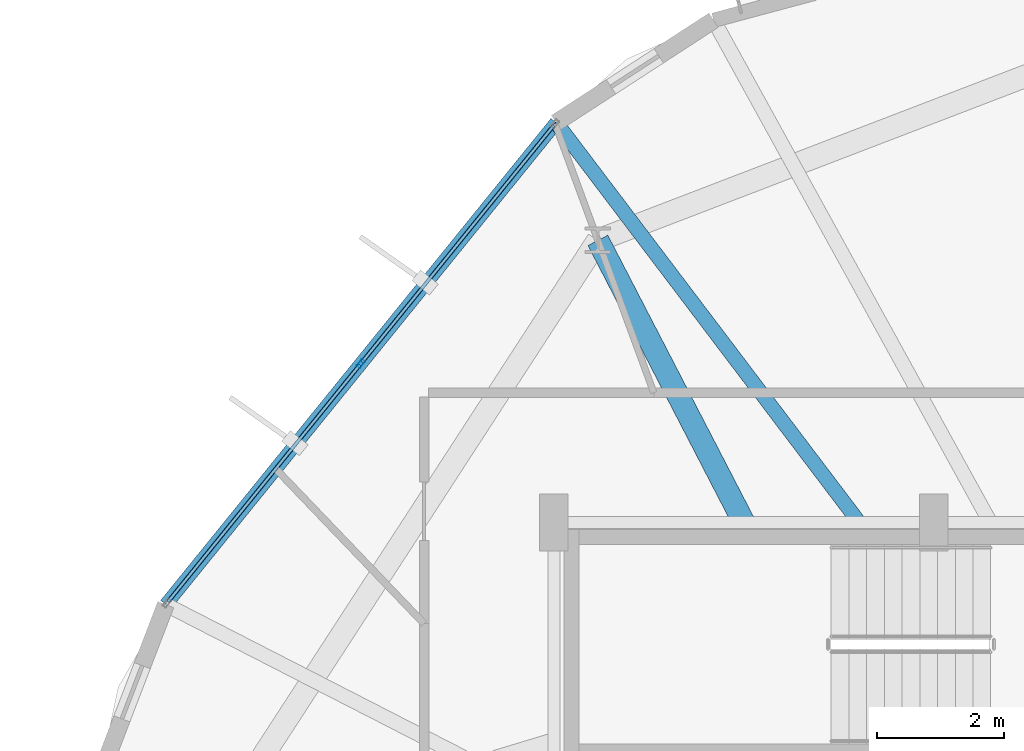
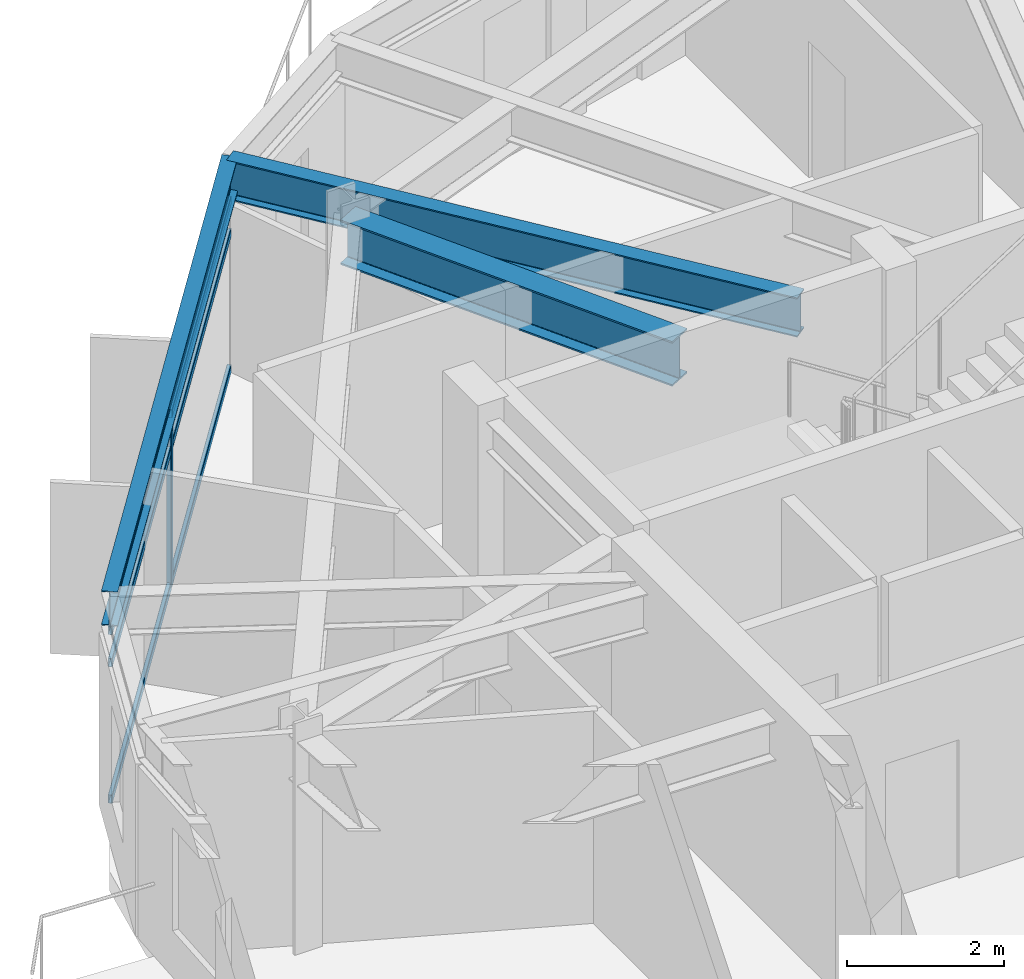
# One storey, part 17 of 29: 7 members, 3 beams, 1 element without a shape of its own.
"""IFC4 building model written with IfcOpenShell, lengths in metres."""

from ifc_helpers import new_model, si_unit, direction, frame, origin, origin_2d, place, context, subcontext, project, spatial, hollow_rectangle, i_section, extrude, material, layer, layer_set, material_profile, profile_set, type_object, element, aggregate, save


model = new_model("IFC4")

# Units and contexts
model_context = context("Model", 3, precision=1e-05, world=origin(), true_north=direction((0.0, 1.0)))
body_context = subcontext(model_context, "Body", "Model", "MODEL_VIEW")
ifc_project = project(units=[si_unit("LENGTHUNIT", "METRE"), si_unit("AREAUNIT", "SQUARE_METRE"), si_unit("VOLUMEUNIT", "CUBIC_METRE"), si_unit("PLANEANGLEUNIT", "RADIAN"), si_unit("MASSUNIT", "GRAM", prefix="KILO")], contexts=[model_context])

# Site, building, storey
site_placement = place(None, origin())
site = spatial("IfcSite", under=ifc_project, at=site_placement, CompositionType="ELEMENT")
building_placement = place(site_placement, origin())
building = spatial("IfcBuilding", under=site, at=building_placement, Name="Soratama Intermodal Tower", CompositionType="ELEMENT")
storey_placement = place(building_placement, frame((0.0, 0.0, 219.39990234375)))
storey = spatial("IfcBuildingStorey", under=building, at=storey_placement, Name="L55", CompositionType="ELEMENT", Elevation=219.39990234375)

# Beams
ifc_material_1 = material(Name="Structural steel ASTM A992 Grade 50", Category="steel")
ifc_material_profile_1 = material_profile(ifc_material_1, i_section(OverallWidth=0.35498046875, OverallDepth=0.695068359375, WebThickness=0.015380859375, FlangeThickness=0.02490234375, FilletRadius=0.01611328125, at=origin_2d()), Name="W27X146")
ifc_profile_set_1 = profile_set([ifc_material_profile_1], Name="Structural steel ASTM A992 Grade 50")
beam_type_1 = type_object("IfcBeamType", Name="BM-RING-W27X146", PredefinedType="BEAM", material=ifc_profile_set_1)
beam_1_placement = place(storey_placement, frame((35.60009765625, 35.0, 2.95263671875), z_axis=(-0.459552673174, 0.888150516849, 0.0), x_axis=(-0.888150516849, -0.459552673174, 0.0)))
element("IfcBeam", 1, at=beam_1_placement, inside=storey, type_object=beam_type_1, Name="BM-L55-RAD-04", PredefinedType="BEAM", context=body_context, shape_type="SweptSolid", body=[
    extrude(i_section(OverallWidth=0.35498046875, OverallDepth=0.695068359375, WebThickness=0.015380859375, FlangeThickness=0.02490234375, FilletRadius=0.01611328125, at=origin_2d()), origin(), (0.0, 0.0, 1.0), 5.01611328125),
])
ifc_material_2 = material(Name="Structural steel ASTM A992 Grade 50", Category="steel")
ifc_material_profile_2 = material_profile(ifc_material_2, i_section(OverallWidth=0.2099609375, OverallDepth=0.537109375, WebThickness=0.010986328125, FlangeThickness=0.017333984375, FilletRadius=0.012939453125, at=origin_2d()), Name="W21X68")
ifc_profile_set_2 = profile_set([ifc_material_profile_2], Name="Structural steel ASTM A992 Grade 50")
beam_type_2 = type_object("IfcBeamType", Name="BM-SPN-W21X68", PredefinedType="SPANDREL", material=ifc_profile_set_2)
beam_2_placement = place(storey_placement, frame((32.635986328125, 41.31591796875, 3.031494140625), z_axis=(-0.629339434, -0.777130540393, 0.0), x_axis=(0.777130540393, -0.629339434, 0.0)))
element("IfcBeam", 2, at=beam_2_placement, inside=storey, type_object=beam_type_2, Name="BS-L55-F03", PredefinedType="SPANDREL", context=body_context, shape_type="SweptSolid", body=[
    extrude(i_section(OverallWidth=0.2099609375, OverallDepth=0.537109375, WebThickness=0.010986328125, FlangeThickness=0.017333984375, FilletRadius=0.012939453125, at=origin_2d()), origin(), (0.0, 0.0, 1.0), 9.797607421875),
])
ifc_material_3 = material(Name="Structural steel ASTM A992 Grade 50", Category="steel")
ifc_material_profile_3 = material_profile(ifc_material_3, i_section(OverallWidth=0.22900390625, OverallDepth=0.612060546875, WebThickness=0.011962890625, FlangeThickness=0.01953125, FilletRadius=0.012939453125, at=origin_2d()), Name="W24X84")
ifc_profile_set_3 = profile_set([ifc_material_profile_3], Name="Structural steel ASTM A992 Grade 50")
beam_type_3 = type_object("IfcBeamType", Name="BM-TIE-W24X84", PredefinedType="BEAM", material=ifc_profile_set_3)
beam_3_placement = place(storey_placement, frame((37.39794921875, 35.031982421875, 2.994140625), z_axis=(-0.603970955008, 0.797006327144, 0.0), x_axis=(-0.797006327144, -0.603970955008, 0.0)))
element("IfcBeam", 3, at=beam_3_placement, inside=storey, type_object=beam_type_3, Name="BM-L55-TIE0-03", PredefinedType="BEAM", context=body_context, shape_type="SweptSolid", body=[
    extrude(i_section(OverallWidth=0.22900390625, OverallDepth=0.612060546875, WebThickness=0.011962890625, FlangeThickness=0.01953125, FilletRadius=0.012939453125, at=origin_2d()), origin(), (0.0, 0.0, 1.0), 7.884521484375),
])

# Curtain wall, members
ifc_material_4 = material(Name="Double-glazed aluminium curtain wall", Category="aluminium")
ifc_layer = layer(ifc_material_4, 0.159912109375)
ifc_layer_set = layer_set([ifc_layer], Name="Double-glazed aluminium curtain wall")
curtain_wall_type = type_object("IfcCurtainWallType", Name="CW-SYS-5", PredefinedType="NOTDEFINED", material=ifc_layer_set)
curtain_wall_placement = place(storey_placement, origin())
curtain_wall = element("IfcCurtainWall", 4, at=curtain_wall_placement, inside=storey, type_object=curtain_wall_type, Name="L55 Faceted Curtain Wall F03", PredefinedType="NOTDEFINED")
ifc_material_5 = material(Name="Anodised aluminium AA 6063-T6", Category="aluminium")
ifc_material_profile_4 = material_profile(ifc_material_5, hollow_rectangle(XDim=0.06494140625, YDim=0.139892578125, WallThickness=0.0048828125, InnerFilletRadius=0.0048828125, OuterFilletRadius=0.010009765625, at=origin_2d()), Name="CWM140X65X5")
ifc_profile_set_4 = profile_set([ifc_material_profile_4], Name="Anodised aluminium AA 6063-T6")
member_type_1 = type_object("IfcMemberType", Name="MT-CWM-5", PredefinedType="MULLION", material=ifc_profile_set_4)
member_1_placement = place(storey_placement, frame((29.552490234375, 37.509033203125, 0.0), z_axis=(0.0, 0.0, 1.0), x_axis=(0.777152878151, -0.629311849549, 0.0)))
member_1 = element("IfcMember", 5, at=member_1_placement, type_object=member_type_1, Name="CW-5 mullion 2", PredefinedType="MULLION", context=body_context, shape_type="SweptSolid", body=[
    extrude(hollow_rectangle(XDim=0.06494140625, YDim=0.139892578125, WallThickness=0.0048828125, InnerFilletRadius=0.0048828125, OuterFilletRadius=0.010009765625, at=origin_2d()), origin(), (0.0, 0.0, 1.0), 2.67919921875),
])
ifc_material_6 = material(Name="Anodised aluminium AA 6063-T6", Category="aluminium")
ifc_material_profile_5 = material_profile(ifc_material_6, hollow_rectangle(XDim=0.06005859375, YDim=0.1298828125, WallThickness=0.0048828125, InnerFilletRadius=0.0048828125, OuterFilletRadius=0.010009765625, at=origin_2d()), Name="CWT130X60X5")
ifc_profile_set_5 = profile_set([ifc_material_profile_5], Name="Anodised aluminium AA 6063-T6")
member_type_2 = type_object("IfcMemberType", Name="TT-CWT-2", PredefinedType="USERDEFINED", material=ifc_profile_set_5)
member_2_placement = place(storey_placement, frame((32.59765625, 41.26953125, 0.030029296875), z_axis=(-0.629309223431, -0.777155004684, 0.0), x_axis=(0.777155004684, -0.629309223431, 0.0)))
member_2 = element("IfcMember", 6, at=member_2_placement, type_object=member_type_2, Name="CW-5 transom 1.1", ObjectType="TRANSOM", PredefinedType="USERDEFINED", context=body_context, shape_type="SweptSolid", body=[
    extrude(hollow_rectangle(XDim=0.06005859375, YDim=0.1298828125, WallThickness=0.0048828125, InnerFilletRadius=0.0048828125, OuterFilletRadius=0.010009765625, at=origin_2d()), origin(), (0.0, 0.0, 1.0), 4.80859375),
])
member_3_placement = place(storey_placement, frame((32.59765625, 41.26953125, 2.150146484375), z_axis=(-0.629309223431, -0.777155004684, 0.0), x_axis=(0.777155004684, -0.629309223431, 0.0)))
member_3 = element("IfcMember", 7, at=member_3_placement, type_object=member_type_2, Name="CW-5 transom 1.2", ObjectType="TRANSOM", PredefinedType="USERDEFINED", context=body_context, shape_type="SweptSolid", body=[
    extrude(hollow_rectangle(XDim=0.06005859375, YDim=0.1298828125, WallThickness=0.0048828125, InnerFilletRadius=0.0048828125, OuterFilletRadius=0.010009765625, at=origin_2d()), origin(), (0.0, 0.0, 1.0), 4.80859375),
])
member_4_placement = place(storey_placement, frame((32.59765625, 41.26953125, 2.649169921875), z_axis=(-0.629309223431, -0.777155004684, 0.0), x_axis=(0.777155004684, -0.629309223431, 0.0)))
member_4 = element("IfcMember", 8, at=member_4_placement, type_object=member_type_2, Name="CW-5 transom 1.3", ObjectType="TRANSOM", PredefinedType="USERDEFINED", context=body_context, shape_type="SweptSolid", body=[
    extrude(hollow_rectangle(XDim=0.06005859375, YDim=0.1298828125, WallThickness=0.0048828125, InnerFilletRadius=0.0048828125, OuterFilletRadius=0.010009765625, at=origin_2d()), origin(), (0.0, 0.0, 1.0), 4.80859375),
])
member_5_placement = place(storey_placement, frame((29.53369140625, 37.48583984375, 0.030029296875), z_axis=(-0.629284393369, -0.777175110423, 0.0), x_axis=(0.777175110423, -0.629284393369, 0.0)))
member_5 = element("IfcMember", 9, at=member_5_placement, type_object=member_type_2, Name="CW-5 transom 2.1", ObjectType="TRANSOM", PredefinedType="USERDEFINED", context=body_context, shape_type="SweptSolid", body=[
    extrude(hollow_rectangle(XDim=0.06005859375, YDim=0.1298828125, WallThickness=0.0048828125, InnerFilletRadius=0.0048828125, OuterFilletRadius=0.010009765625, at=origin_2d()), origin(), (0.0, 0.0, 1.0), 4.808837890625),
])
member_6_placement = place(storey_placement, frame((29.53369140625, 37.48583984375, 2.150146484375), z_axis=(-0.629284393369, -0.777175110423, 0.0), x_axis=(0.777175110423, -0.629284393369, 0.0)))
member_6 = element("IfcMember", 10, at=member_6_placement, type_object=member_type_2, Name="CW-5 transom 2.2", ObjectType="TRANSOM", PredefinedType="USERDEFINED", context=body_context, shape_type="SweptSolid", body=[
    extrude(hollow_rectangle(XDim=0.06005859375, YDim=0.1298828125, WallThickness=0.0048828125, InnerFilletRadius=0.0048828125, OuterFilletRadius=0.010009765625, at=origin_2d()), origin(), (0.0, 0.0, 1.0), 4.808837890625),
])
member_7_placement = place(storey_placement, frame((29.53369140625, 37.48583984375, 2.649169921875), z_axis=(-0.629284393369, -0.777175110423, 0.0), x_axis=(0.777175110423, -0.629284393369, 0.0)))
member_7 = element("IfcMember", 11, at=member_7_placement, type_object=member_type_2, Name="CW-5 transom 2.3", ObjectType="TRANSOM", PredefinedType="USERDEFINED", context=body_context, shape_type="SweptSolid", body=[
    extrude(hollow_rectangle(XDim=0.06005859375, YDim=0.1298828125, WallThickness=0.0048828125, InnerFilletRadius=0.0048828125, OuterFilletRadius=0.010009765625, at=origin_2d()), origin(), (0.0, 0.0, 1.0), 4.808837890625),
])
aggregate(curtain_wall, [member_1, member_2, member_3, member_4, member_5, member_6, member_7])

save(model, "model.ifc")
